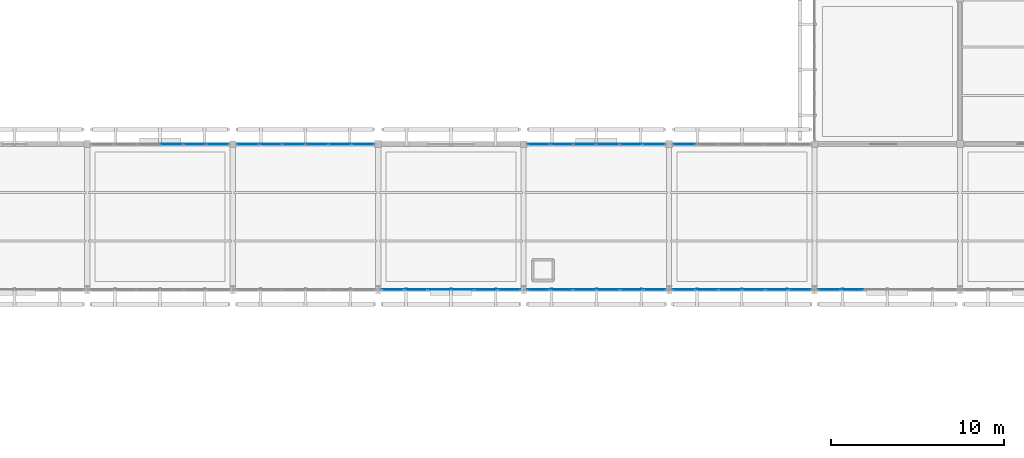
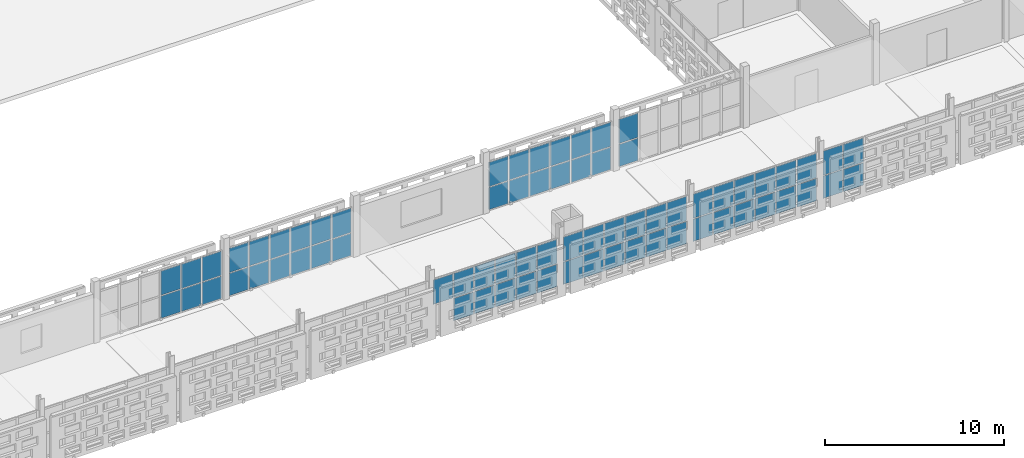
# One storey, part 85 of 166: 71 plates, 8 elements without a shape of their own.
"""IFC4 building model written with IfcOpenShell, lengths in metres."""

import ifcopenshell
import ifcopenshell.guid

model = None  # the IFC model being written
_history = None  # IfcOwnerHistory: only IFC2X3 demands one
_inside = {}  # id of a spatial element -> (the spatial element, [elements in it])
_under = {}  # id of a project, library or spatial element -> (it, [spatial elements below it])
_declared = {}  # id of a project -> (the project, [libraries it declares])
_typed = {}  # id of a type object -> (the type object, [elements of that type])
_made_of = {}  # id of a material, layer set ... -> (it, [elements and type objects made of it])


def new_model(schema):
    """Start an empty IFC model of exactly this schema.

    Asked for "IFC4X3", IfcOpenShell would pick the latest addendum, in which some entities
    have other attributes; the version numbers below select the first issue.
    IFC2X3 requires an IfcOwnerHistory on every rooted entity: one is made here for all.
    """
    global model, _history
    if schema == "IFC4X3":
        model = ifcopenshell.file(schema_version=(4, 3, 0, 0))
    else:
        model = ifcopenshell.file(schema=schema)
    _inside.clear()
    _under.clear()
    _declared.clear()
    _typed.clear()
    _made_of.clear()
    _history = None
    if model.schema == "IFC2X3":
        org = make("IfcOrganization", Name="unknown")
        user = make(
            "IfcPersonAndOrganization",
            ThePerson=make("IfcPerson", FamilyName="unknown"),
            TheOrganization=org,
        )
        app = make(
            "IfcApplication",
            ApplicationDeveloper=org,
            Version="unknown",
            ApplicationFullName="unknown",
            ApplicationIdentifier="unknown",
        )
        _history = make(
            "IfcOwnerHistory",
            OwningUser=user,
            OwningApplication=app,
            ChangeAction="ADDED",
            CreationDate=0,
        )
    return model


def make(cls, **values):
    """One entity of the class cls with the attributes given. An attribute that is None is left unset."""
    return model.create_entity(
        cls, **{name: value for name, value in values.items() if value is not None}
    )


def rooted(cls, **values):
    """An entity with a GlobalId (a new one), such as an element, a storey or a relation."""
    return make(cls, GlobalId=ifcopenshell.guid.new(), OwnerHistory=_history, **values)


def si_unit(unit_type, name, prefix=None):
    """IfcSIUnit, for example si_unit("LENGTHUNIT", "METRE", prefix="MILLI")."""
    return make("IfcSIUnit", UnitType=unit_type, Prefix=prefix, Name=name)


def assignment(units):
    """IfcUnitAssignment: the units of a project."""
    return None if units is None else make("IfcUnitAssignment", Units=units)


def point(xyz):
    """IfcCartesianPoint."""
    return None if xyz is None else make("IfcCartesianPoint", Coordinates=xyz)


def direction(xyz):
    """IfcDirection."""
    return None if xyz is None else make("IfcDirection", DirectionRatios=xyz)


def frame(location, z_axis=None, x_axis=None):
    """IfcAxis2Placement3D, a coordinate frame: its origin and axes. An axis left out is left unset."""
    return make(
        "IfcAxis2Placement3D",
        Location=point(location),
        Axis=direction(z_axis),
        RefDirection=direction(x_axis),
    )


def frame_2d(location, x_axis=None):
    """IfcAxis2Placement2D, a coordinate frame in the plane: its origin and x axis."""
    return make(
        "IfcAxis2Placement2D", Location=point(location), RefDirection=direction(x_axis)
    )


def origin():
    """The frame at (0, 0, 0) with its axes left unset."""
    return frame((0.0, 0.0, 0.0))


def origin_2d():
    """The frame at (0, 0) in the plane with its x axis left unset."""
    return frame_2d((0.0, 0.0))


def place(relative_to, where):
    """IfcLocalPlacement: puts the frame where relative to a parent placement (None: the world)."""
    return make(
        "IfcLocalPlacement", PlacementRelTo=relative_to, RelativePlacement=where
    )


def context(
    kind, dimensions, precision=None, world=None, true_north=None, identifier=None
):
    """IfcGeometricRepresentationContext, for example the 3D "Model" context."""
    return make(
        "IfcGeometricRepresentationContext",
        ContextIdentifier=identifier,
        ContextType=kind,
        CoordinateSpaceDimension=dimensions,
        Precision=precision,
        WorldCoordinateSystem=world,
        TrueNorth=true_north,
    )


def subcontext(parent, identifier, kind, view, scale=None):
    """IfcGeometricRepresentationSubContext, for example "Body" below "Model"."""
    return make(
        "IfcGeometricRepresentationSubContext",
        ContextIdentifier=identifier,
        ContextType=kind,
        ParentContext=parent,
        TargetScale=scale,
        TargetView=view,
    )


def project(units=None, contexts=None):
    """IfcProject with its units and contexts."""
    return rooted(
        "IfcProject",
        Name="project",
        RepresentationContexts=contexts,
        UnitsInContext=assignment(units),
    )


def spatial(cls, under=None, at=None, **own):
    """A site, building, storey or space (cls), placed at a placement, below another one or the project."""
    s = rooted(cls, ObjectPlacement=at, **own)
    if under is not None:
        _under.setdefault(under.id(), (under, []))[1].append(s)
    return s


def profile(cls, at=None, kind="AREA", **sizes):
    """A parametric profile (cls). Its sizes go by their IFC names, for example OverallWidth=200.0."""
    return make(cls, ProfileType=kind, Position=at, **sizes)


def rectangle(**sizes):
    """IfcRectangleProfileDef."""
    return profile("IfcRectangleProfileDef", **sizes)


def extrude(swept, where, along, depth):
    """IfcExtrudedAreaSolid: the profile swept, set in the frame where, extruded along a direction by depth."""
    return make(
        "IfcExtrudedAreaSolid",
        SweptArea=swept,
        Position=where,
        ExtrudedDirection=direction(along),
        Depth=depth,
    )


def shape(context_of_items, identifier, shape_type, items):
    """IfcShapeRepresentation: the items that make up one representation, for example the "Body"."""
    return make(
        "IfcShapeRepresentation",
        ContextOfItems=context_of_items,
        RepresentationIdentifier=identifier,
        RepresentationType=shape_type,
        Items=items,
    )


def material(Name=None, Category=None):
    """IfcMaterial."""
    return make("IfcMaterial", Name=Name, Category=Category)


def layer(
    of_material, thickness, ventilated=None, Name=None, Category=None, Priority=None
):
    """IfcMaterialLayer: one layer of a wall or slab, of a material (None: an air gap)."""
    return make(
        "IfcMaterialLayer",
        Material=of_material,
        LayerThickness=thickness,
        IsVentilated=ventilated,
        Name=Name,
        Category=Category,
        Priority=Priority,
    )


def layer_set(layers, Name=None):
    """IfcMaterialLayerSet."""
    return make("IfcMaterialLayerSet", MaterialLayers=layers, LayerSetName=Name)


def made_of(thing, what):
    """Note that an element or type object is made of a material, layer set ...; save() writes the relation."""
    if what is not None:
        _made_of.setdefault(what.id(), (what, []))[1].append(thing)
    return thing


def type_object(cls, material=None, **own):
    """A type object (cls), such as IfcWallType, which elements share."""
    return made_of(rooted(cls, **own), material)


def element(
    cls,
    number,
    at=None,
    inside=None,
    cuts=None,
    type_object=None,
    material=None,
    context=None,
    identifier="Body",
    shape_type=None,
    held_by="IfcProductDefinitionShape",
    body=None,
    shapes=None,
    **own,
):
    """One element of the class cls, such as IfcWall. Its Tag is "e" and its number.

    at: its placement. inside: the storey or other place that contains it. cuts: it is an
    opening in that element (IfcRelVoidsElement). A single representation is given by context,
    identifier, shape_type and body (its items); several are given by shapes. held_by: the class
    of the entity that holds the representations. save() writes the other relations.
    """
    e = rooted(cls, Tag="e%d" % number, ObjectPlacement=at, **own)
    if body is not None:
        shapes = [shape(context, identifier, shape_type, body)]
    if shapes is not None:
        e.Representation = make(held_by, Representations=shapes)
    if inside is not None:
        _inside.setdefault(inside.id(), (inside, []))[1].append(e)
    if cuts is not None:
        rooted(
            "IfcRelVoidsElement", RelatingBuildingElement=cuts, RelatedOpeningElement=e
        )
    if type_object is not None:
        _typed.setdefault(type_object.id(), (type_object, []))[1].append(e)
    return made_of(e, material)


def aggregate(whole, parts):
    """IfcRelAggregates: a whole, such as a stair, and the parts it consists of."""
    return rooted("IfcRelAggregates", RelatingObject=whole, RelatedObjects=parts)


def save(model, path):
    """Write the relations noted so far, then the file.

    IfcRelAggregates (storeys below a building ...), IfcRelContainedInSpatialStructure (elements
    in a storey), IfcRelDefinesByType, IfcRelAssociatesMaterial and IfcRelDeclares: one each for
    every whole, place, type object, material and project.
    """
    for whole, parts in _under.values():
        aggregate(whole, parts)
    for where, things in _inside.values():
        rooted(
            "IfcRelContainedInSpatialStructure",
            RelatedElements=things,
            RelatingStructure=where,
        )
    for kind, things in _typed.values():
        rooted("IfcRelDefinesByType", RelatedObjects=things, RelatingType=kind)
    for what, things in _made_of.values():
        rooted("IfcRelAssociatesMaterial", RelatedObjects=things, RelatingMaterial=what)
    for by, libraries in _declared.values():
        rooted("IfcRelDeclares", RelatingContext=by, RelatedDefinitions=libraries)
    model.write(path)


model = new_model("IFC4")

# Units and contexts
model_context = context("Model", 3, precision=1e-05, world=origin(), true_north=direction((0.0, 1.0)))
body_context = subcontext(model_context, "Body", "Model", "MODEL_VIEW")
ifc_project = project(units=[si_unit("LENGTHUNIT", "METRE"), si_unit("AREAUNIT", "SQUARE_METRE"), si_unit("VOLUMEUNIT", "CUBIC_METRE"), si_unit("PLANEANGLEUNIT", "RADIAN"), si_unit("MASSUNIT", "GRAM", prefix="KILO")], contexts=[model_context])

# Site, building, storey
site_placement = place(None, origin())
site = spatial("IfcSite", under=ifc_project, at=site_placement, CompositionType="ELEMENT")
building_placement = place(site_placement, origin())
building = spatial("IfcBuilding", under=site, at=building_placement, Name="Varnapada Polytechnic", CompositionType="ELEMENT")
storey_placement = place(building_placement, frame((0.0, 0.0, 9.60009765625)))
storey = spatial("IfcBuildingStorey", under=building, at=storey_placement, Name="L02", CompositionType="ELEMENT", Elevation=9.60009765625)

# Curtain wall, plates
ifc_material = material(Name="Double low-E laminated glass", Category="glass")
ifc_layer_1 = layer(ifc_material, 0.159912109375)
ifc_layer_set_1 = layer_set([ifc_layer_1], Name="Double low-E laminated glass")
curtain_wall_type_1 = type_object("IfcCurtainWallType", Name="Curtain Wall CW-02", PredefinedType="NOTDEFINED", material=ifc_layer_set_1)
curtain_wall_1_placement = place(storey_placement, origin())
curtain_wall_1 = element("IfcCurtainWall", 1, at=curtain_wall_1_placement, inside=storey, type_object=curtain_wall_type_1, Name="L02 unitised curtain wall CW-02 (167)", PredefinedType="NOTDEFINED")
ifc_layer_2 = layer(ifc_material, 0.028076171875)
ifc_layer_set_2 = layer_set([ifc_layer_2], Name="Double low-E laminated glass")
plate_type = type_object("IfcPlateType", Name="Curtain Panel PNL-01", PredefinedType="CURTAIN_PANEL", material=ifc_layer_set_2)
plate_1_placement = place(storey_placement, frame((80.472412109375, 92.39990234375, 0.06005859375), z_axis=(0.0, 0.0, 1.0), x_axis=(1.0, 0.0, 0.0)))
plate_1 = element("IfcPlate", 2, at=plate_1_placement, type_object=plate_type, Name="CW-02 panel 4.1", PredefinedType="CURTAIN_PANEL", context=body_context, shape_type="SweptSolid", body=[
    extrude(rectangle(XDim=1.27490234375, YDim=0.028076171875, at=origin_2d()), origin(), (0.0, 0.0, 1.0), 1.522705078125),
])
plate_2_placement = place(storey_placement, frame((80.472412109375, 92.39990234375, 1.642578125), z_axis=(0.0, 0.0, 1.0), x_axis=(1.0, 0.0, 0.0)))
plate_2 = element("IfcPlate", 3, at=plate_2_placement, type_object=plate_type, Name="CW-02 panel 4.2", PredefinedType="CURTAIN_PANEL", context=body_context, shape_type="SweptSolid", body=[
    extrude(rectangle(XDim=1.27490234375, YDim=0.028076171875, at=origin_2d()), origin(), (0.0, 0.0, 1.0), 1.6572265625),
])
plate_3_placement = place(storey_placement, frame((81.8076171875, 92.39990234375, 0.06005859375), z_axis=(0.0, 0.0, 1.0), x_axis=(1.0, 0.0, 0.0)))
plate_3 = element("IfcPlate", 4, at=plate_3_placement, type_object=plate_type, Name="CW-02 panel 5.1", PredefinedType="CURTAIN_PANEL", context=body_context, shape_type="SweptSolid", body=[
    extrude(rectangle(XDim=1.27490234375, YDim=0.028076171875, at=origin_2d()), origin(), (0.0, 0.0, 1.0), 1.522705078125),
])
plate_4_placement = place(storey_placement, frame((81.8076171875, 92.39990234375, 1.642578125), z_axis=(0.0, 0.0, 1.0), x_axis=(1.0, 0.0, 0.0)))
plate_4 = element("IfcPlate", 5, at=plate_4_placement, type_object=plate_type, Name="CW-02 panel 5.2", PredefinedType="CURTAIN_PANEL", context=body_context, shape_type="SweptSolid", body=[
    extrude(rectangle(XDim=1.27490234375, YDim=0.028076171875, at=origin_2d()), origin(), (0.0, 0.0, 1.0), 1.6572265625),
])
plate_5_placement = place(storey_placement, frame((83.12744140625, 92.39990234375, 0.06005859375), z_axis=(0.0, 0.0, 1.0), x_axis=(1.0, 0.0, 0.0)))
plate_5 = element("IfcPlate", 6, at=plate_5_placement, type_object=plate_type, Name="CW-02 panel 6.1", PredefinedType="CURTAIN_PANEL", context=body_context, shape_type="SweptSolid", body=[
    extrude(rectangle(XDim=1.2451171875, YDim=0.028076171875, at=origin_2d()), origin(), (0.0, 0.0, 1.0), 1.522705078125),
])
plate_6_placement = place(storey_placement, frame((83.12744140625, 92.39990234375, 1.642578125), z_axis=(0.0, 0.0, 1.0), x_axis=(1.0, 0.0, 0.0)))
plate_6 = element("IfcPlate", 7, at=plate_6_placement, type_object=plate_type, Name="CW-02 panel 6.2", PredefinedType="CURTAIN_PANEL", context=body_context, shape_type="SweptSolid", body=[
    extrude(rectangle(XDim=1.2451171875, YDim=0.028076171875, at=origin_2d()), origin(), (0.0, 0.0, 1.0), 1.6572265625),
])
aggregate(curtain_wall_1, [plate_1, plate_2, plate_3, plate_4, plate_5, plate_6])

curtain_wall_2_placement = place(storey_placement, origin())
curtain_wall_2 = element("IfcCurtainWall", 8, at=curtain_wall_2_placement, inside=storey, type_object=curtain_wall_type_1, Name="L02 unitised curtain wall CW-02 (169)", PredefinedType="NOTDEFINED")
plate_7_placement = place(storey_placement, frame((84.87255859375, 92.39990234375, 0.06005859375), z_axis=(0.0, 0.0, 1.0), x_axis=(1.0, 0.0, 0.0)))
plate_7 = element("IfcPlate", 9, at=plate_7_placement, type_object=plate_type, Name="CW-02 panel 1.1", PredefinedType="CURTAIN_PANEL", context=body_context, shape_type="SweptSolid", body=[
    extrude(rectangle(XDim=1.2451171875, YDim=0.028076171875, at=origin_2d()), origin(), (0.0, 0.0, 1.0), 1.522705078125),
])
plate_8_placement = place(storey_placement, frame((84.87255859375, 92.39990234375, 1.642578125), z_axis=(0.0, 0.0, 1.0), x_axis=(1.0, 0.0, 0.0)))
plate_8 = element("IfcPlate", 10, at=plate_8_placement, type_object=plate_type, Name="CW-02 panel 1.2", PredefinedType="CURTAIN_PANEL", context=body_context, shape_type="SweptSolid", body=[
    extrude(rectangle(XDim=1.2451171875, YDim=0.028076171875, at=origin_2d()), origin(), (0.0, 0.0, 1.0), 1.6572265625),
])
plate_9_placement = place(storey_placement, frame((86.1923828125, 92.39990234375, 0.06005859375), z_axis=(0.0, 0.0, 1.0), x_axis=(1.0, 0.0, 0.0)))
plate_9 = element("IfcPlate", 11, at=plate_9_placement, type_object=plate_type, Name="CW-02 panel 2.1", PredefinedType="CURTAIN_PANEL", context=body_context, shape_type="SweptSolid", body=[
    extrude(rectangle(XDim=1.27490234375, YDim=0.028076171875, at=origin_2d()), origin(), (0.0, 0.0, 1.0), 1.522705078125),
])
plate_10_placement = place(storey_placement, frame((86.1923828125, 92.39990234375, 1.642578125), z_axis=(0.0, 0.0, 1.0), x_axis=(1.0, 0.0, 0.0)))
plate_10 = element("IfcPlate", 12, at=plate_10_placement, type_object=plate_type, Name="CW-02 panel 2.2", PredefinedType="CURTAIN_PANEL", context=body_context, shape_type="SweptSolid", body=[
    extrude(rectangle(XDim=1.27490234375, YDim=0.028076171875, at=origin_2d()), origin(), (0.0, 0.0, 1.0), 1.6572265625),
])
plate_11_placement = place(storey_placement, frame((87.527587890625, 92.39990234375, 0.06005859375), z_axis=(0.0, 0.0, 1.0), x_axis=(1.0, 0.0, 0.0)))
plate_11 = element("IfcPlate", 13, at=plate_11_placement, type_object=plate_type, Name="CW-02 panel 3.1", PredefinedType="CURTAIN_PANEL", context=body_context, shape_type="SweptSolid", body=[
    extrude(rectangle(XDim=1.27490234375, YDim=0.028076171875, at=origin_2d()), origin(), (0.0, 0.0, 1.0), 1.522705078125),
])
plate_12_placement = place(storey_placement, frame((87.527587890625, 92.39990234375, 1.642578125), z_axis=(0.0, 0.0, 1.0), x_axis=(1.0, 0.0, 0.0)))
plate_12 = element("IfcPlate", 14, at=plate_12_placement, type_object=plate_type, Name="CW-02 panel 3.2", PredefinedType="CURTAIN_PANEL", context=body_context, shape_type="SweptSolid", body=[
    extrude(rectangle(XDim=1.27490234375, YDim=0.028076171875, at=origin_2d()), origin(), (0.0, 0.0, 1.0), 1.6572265625),
])
plate_13_placement = place(storey_placement, frame((88.862548828125, 92.39990234375, 0.06005859375), z_axis=(0.0, 0.0, 1.0), x_axis=(1.0, 0.0, 0.0)))
plate_13 = element("IfcPlate", 15, at=plate_13_placement, type_object=plate_type, Name="CW-02 panel 4.1", PredefinedType="CURTAIN_PANEL", context=body_context, shape_type="SweptSolid", body=[
    extrude(rectangle(XDim=1.27490234375, YDim=0.028076171875, at=origin_2d()), origin(), (0.0, 0.0, 1.0), 1.522705078125),
])
plate_14_placement = place(storey_placement, frame((88.862548828125, 92.39990234375, 1.642578125), z_axis=(0.0, 0.0, 1.0), x_axis=(1.0, 0.0, 0.0)))
plate_14 = element("IfcPlate", 16, at=plate_14_placement, type_object=plate_type, Name="CW-02 panel 4.2", PredefinedType="CURTAIN_PANEL", context=body_context, shape_type="SweptSolid", body=[
    extrude(rectangle(XDim=1.27490234375, YDim=0.028076171875, at=origin_2d()), origin(), (0.0, 0.0, 1.0), 1.6572265625),
])
plate_15_placement = place(storey_placement, frame((90.197509765625, 92.39990234375, 0.06005859375), z_axis=(0.0, 0.0, 1.0), x_axis=(1.0, 0.0, 0.0)))
plate_15 = element("IfcPlate", 17, at=plate_15_placement, type_object=plate_type, Name="CW-02 panel 5.1", PredefinedType="CURTAIN_PANEL", context=body_context, shape_type="SweptSolid", body=[
    extrude(rectangle(XDim=1.27490234375, YDim=0.028076171875, at=origin_2d()), origin(), (0.0, 0.0, 1.0), 1.522705078125),
])
plate_16_placement = place(storey_placement, frame((90.197509765625, 92.39990234375, 1.642578125), z_axis=(0.0, 0.0, 1.0), x_axis=(1.0, 0.0, 0.0)))
plate_16 = element("IfcPlate", 18, at=plate_16_placement, type_object=plate_type, Name="CW-02 panel 5.2", PredefinedType="CURTAIN_PANEL", context=body_context, shape_type="SweptSolid", body=[
    extrude(rectangle(XDim=1.27490234375, YDim=0.028076171875, at=origin_2d()), origin(), (0.0, 0.0, 1.0), 1.6572265625),
])
plate_17_placement = place(storey_placement, frame((91.517578125, 92.39990234375, 0.06005859375), z_axis=(0.0, 0.0, 1.0), x_axis=(1.0, 0.0, 0.0)))
plate_17 = element("IfcPlate", 19, at=plate_17_placement, type_object=plate_type, Name="CW-02 panel 6.1", PredefinedType="CURTAIN_PANEL", context=body_context, shape_type="SweptSolid", body=[
    extrude(rectangle(XDim=1.2451171875, YDim=0.028076171875, at=origin_2d()), origin(), (0.0, 0.0, 1.0), 1.522705078125),
])
plate_18_placement = place(storey_placement, frame((91.517578125, 92.39990234375, 1.642578125), z_axis=(0.0, 0.0, 1.0), x_axis=(1.0, 0.0, 0.0)))
plate_18 = element("IfcPlate", 20, at=plate_18_placement, type_object=plate_type, Name="CW-02 panel 6.2", PredefinedType="CURTAIN_PANEL", context=body_context, shape_type="SweptSolid", body=[
    extrude(rectangle(XDim=1.2451171875, YDim=0.028076171875, at=origin_2d()), origin(), (0.0, 0.0, 1.0), 1.6572265625),
])
aggregate(curtain_wall_2, [plate_7, plate_8, plate_9, plate_10, plate_11, plate_12, plate_13, plate_14, plate_15, plate_16, plate_17, plate_18])

ifc_layer_3 = layer(ifc_material, 0.159912109375)
ifc_layer_set_3 = layer_set([ifc_layer_3], Name="Double low-E laminated glass")
curtain_wall_type_2 = type_object("IfcCurtainWallType", Name="Curtain Wall CW-01", PredefinedType="NOTDEFINED", material=ifc_layer_set_3)
curtain_wall_3_placement = place(storey_placement, origin())
curtain_wall_3 = element("IfcCurtainWall", 21, at=curtain_wall_3_placement, inside=storey, type_object=curtain_wall_type_2, Name="L02 unitised curtain wall CW-01 (170)", PredefinedType="NOTDEFINED")
plate_19_placement = place(storey_placement, frame((99.9599609375, 84.0, 0.06005859375), z_axis=(0.0, 0.0, 1.0), x_axis=(-1.0, 0.0, 0.0)))
plate_19 = element("IfcPlate", 22, at=plate_19_placement, type_object=plate_type, Name="CW-01 panel 1.1", PredefinedType="CURTAIN_PANEL", context=body_context, shape_type="SweptSolid", body=[
    extrude(rectangle(XDim=1.260009765625, YDim=0.028076171875, at=origin_2d()), origin(), (0.0, 0.0, 1.0), 1.522705078125),
])
plate_20_placement = place(storey_placement, frame((99.9599609375, 84.0, 1.642578125), z_axis=(0.0, 0.0, 1.0), x_axis=(-1.0, 0.0, 0.0)))
plate_20 = element("IfcPlate", 23, at=plate_20_placement, type_object=plate_type, Name="CW-01 panel 1.2", PredefinedType="CURTAIN_PANEL", context=body_context, shape_type="SweptSolid", body=[
    extrude(rectangle(XDim=1.260009765625, YDim=0.028076171875, at=origin_2d()), origin(), (0.0, 0.0, 1.0), 1.6572265625),
])
plate_21_placement = place(storey_placement, frame((98.625, 84.0, 0.06005859375), z_axis=(0.0, 0.0, 1.0), x_axis=(-1.0, 0.0, 0.0)))
plate_21 = element("IfcPlate", 24, at=plate_21_placement, type_object=plate_type, Name="CW-01 panel 2.1", PredefinedType="CURTAIN_PANEL", context=body_context, shape_type="SweptSolid", body=[
    extrude(rectangle(XDim=1.2900390625, YDim=0.028076171875, at=origin_2d()), origin(), (0.0, 0.0, 1.0), 1.522705078125),
])
plate_22_placement = place(storey_placement, frame((98.625, 84.0, 1.642578125), z_axis=(0.0, 0.0, 1.0), x_axis=(-1.0, 0.0, 0.0)))
plate_22 = element("IfcPlate", 25, at=plate_22_placement, type_object=plate_type, Name="CW-01 panel 2.2", PredefinedType="CURTAIN_PANEL", context=body_context, shape_type="SweptSolid", body=[
    extrude(rectangle(XDim=1.2900390625, YDim=0.028076171875, at=origin_2d()), origin(), (0.0, 0.0, 1.0), 1.6572265625),
])
plate_23_placement = place(storey_placement, frame((97.27490234375, 84.0, 0.06005859375), z_axis=(0.0, 0.0, 1.0), x_axis=(-1.0, 0.0, 0.0)))
plate_23 = element("IfcPlate", 26, at=plate_23_placement, type_object=plate_type, Name="CW-01 panel 3.1", PredefinedType="CURTAIN_PANEL", context=body_context, shape_type="SweptSolid", body=[
    extrude(rectangle(XDim=1.2900390625, YDim=0.028076171875, at=origin_2d()), origin(), (0.0, 0.0, 1.0), 1.522705078125),
])
plate_24_placement = place(storey_placement, frame((97.27490234375, 84.0, 1.642578125), z_axis=(0.0, 0.0, 1.0), x_axis=(-1.0, 0.0, 0.0)))
plate_24 = element("IfcPlate", 27, at=plate_24_placement, type_object=plate_type, Name="CW-01 panel 3.2", PredefinedType="CURTAIN_PANEL", context=body_context, shape_type="SweptSolid", body=[
    extrude(rectangle(XDim=1.2900390625, YDim=0.028076171875, at=origin_2d()), origin(), (0.0, 0.0, 1.0), 1.6572265625),
])
plate_25_placement = place(storey_placement, frame((95.925048828125, 84.0, 0.06005859375), z_axis=(0.0, 0.0, 1.0), x_axis=(-1.0, 0.0, 0.0)))
plate_25 = element("IfcPlate", 28, at=plate_25_placement, type_object=plate_type, Name="CW-01 panel 4.1", PredefinedType="CURTAIN_PANEL", context=body_context, shape_type="SweptSolid", body=[
    extrude(rectangle(XDim=1.2900390625, YDim=0.028076171875, at=origin_2d()), origin(), (0.0, 0.0, 1.0), 1.522705078125),
])
plate_26_placement = place(storey_placement, frame((95.925048828125, 84.0, 1.642578125), z_axis=(0.0, 0.0, 1.0), x_axis=(-1.0, 0.0, 0.0)))
plate_26 = element("IfcPlate", 29, at=plate_26_placement, type_object=plate_type, Name="CW-01 panel 4.2", PredefinedType="CURTAIN_PANEL", context=body_context, shape_type="SweptSolid", body=[
    extrude(rectangle(XDim=1.2900390625, YDim=0.028076171875, at=origin_2d()), origin(), (0.0, 0.0, 1.0), 1.6572265625),
])
plate_27_placement = place(storey_placement, frame((94.574951171875, 84.0, 0.06005859375), z_axis=(0.0, 0.0, 1.0), x_axis=(-1.0, 0.0, 0.0)))
plate_27 = element("IfcPlate", 30, at=plate_27_placement, type_object=plate_type, Name="CW-01 panel 5.1", PredefinedType="CURTAIN_PANEL", context=body_context, shape_type="SweptSolid", body=[
    extrude(rectangle(XDim=1.2900390625, YDim=0.028076171875, at=origin_2d()), origin(), (0.0, 0.0, 1.0), 1.522705078125),
])
plate_28_placement = place(storey_placement, frame((94.574951171875, 84.0, 1.642578125), z_axis=(0.0, 0.0, 1.0), x_axis=(-1.0, 0.0, 0.0)))
plate_28 = element("IfcPlate", 31, at=plate_28_placement, type_object=plate_type, Name="CW-01 panel 5.2", PredefinedType="CURTAIN_PANEL", context=body_context, shape_type="SweptSolid", body=[
    extrude(rectangle(XDim=1.2900390625, YDim=0.028076171875, at=origin_2d()), origin(), (0.0, 0.0, 1.0), 1.6572265625),
])
plate_29_placement = place(storey_placement, frame((93.239990234375, 84.0, 1.642578125), z_axis=(0.0, 0.0, 1.0), x_axis=(-1.0, 0.0, 0.0)))
plate_29 = element("IfcPlate", 32, at=plate_29_placement, type_object=plate_type, Name="CW-01 panel 6.2", PredefinedType="CURTAIN_PANEL", context=body_context, shape_type="SweptSolid", body=[
    extrude(rectangle(XDim=1.260009765625, YDim=0.028076171875, at=origin_2d()), origin(), (0.0, 0.0, 1.0), 1.6572265625),
])
aggregate(curtain_wall_3, [plate_19, plate_20, plate_21, plate_22, plate_23, plate_24, plate_25, plate_26, plate_27, plate_28, plate_29])

curtain_wall_4_placement = place(storey_placement, origin())
curtain_wall_4 = element("IfcCurtainWall", 33, at=curtain_wall_4_placement, inside=storey, type_object=curtain_wall_type_2, Name="L02 unitised curtain wall CW-01 (171)", PredefinedType="NOTDEFINED")
plate_30_placement = place(storey_placement, frame((108.360107421875, 84.0, 0.06005859375), z_axis=(0.0, 0.0, 1.0), x_axis=(-1.0, 0.0, 0.0)))
plate_30 = element("IfcPlate", 34, at=plate_30_placement, type_object=plate_type, Name="CW-01 panel 1.1", PredefinedType="CURTAIN_PANEL", context=body_context, shape_type="SweptSolid", body=[
    extrude(rectangle(XDim=1.260009765625, YDim=0.028076171875, at=origin_2d()), origin(), (0.0, 0.0, 1.0), 1.522705078125),
])
plate_31_placement = place(storey_placement, frame((108.360107421875, 84.0, 1.642578125), z_axis=(0.0, 0.0, 1.0), x_axis=(-1.0, 0.0, 0.0)))
plate_31 = element("IfcPlate", 35, at=plate_31_placement, type_object=plate_type, Name="CW-01 panel 1.2", PredefinedType="CURTAIN_PANEL", context=body_context, shape_type="SweptSolid", body=[
    extrude(rectangle(XDim=1.260009765625, YDim=0.028076171875, at=origin_2d()), origin(), (0.0, 0.0, 1.0), 1.6572265625),
])
plate_32_placement = place(storey_placement, frame((107.02490234375, 84.0, 0.06005859375), z_axis=(0.0, 0.0, 1.0), x_axis=(-1.0, 0.0, 0.0)))
plate_32 = element("IfcPlate", 36, at=plate_32_placement, type_object=plate_type, Name="CW-01 panel 2.1", PredefinedType="CURTAIN_PANEL", context=body_context, shape_type="SweptSolid", body=[
    extrude(rectangle(XDim=1.2900390625, YDim=0.028076171875, at=origin_2d()), origin(), (0.0, 0.0, 1.0), 1.522705078125),
])
plate_33_placement = place(storey_placement, frame((107.02490234375, 84.0, 1.642578125), z_axis=(0.0, 0.0, 1.0), x_axis=(-1.0, 0.0, 0.0)))
plate_33 = element("IfcPlate", 37, at=plate_33_placement, type_object=plate_type, Name="CW-01 panel 2.2", PredefinedType="CURTAIN_PANEL", context=body_context, shape_type="SweptSolid", body=[
    extrude(rectangle(XDim=1.2900390625, YDim=0.028076171875, at=origin_2d()), origin(), (0.0, 0.0, 1.0), 1.6572265625),
])
plate_34_placement = place(storey_placement, frame((105.675048828125, 84.0, 0.06005859375), z_axis=(0.0, 0.0, 1.0), x_axis=(-1.0, 0.0, 0.0)))
plate_34 = element("IfcPlate", 38, at=plate_34_placement, type_object=plate_type, Name="CW-01 panel 3.1", PredefinedType="CURTAIN_PANEL", context=body_context, shape_type="SweptSolid", body=[
    extrude(rectangle(XDim=1.2900390625, YDim=0.028076171875, at=origin_2d()), origin(), (0.0, 0.0, 1.0), 1.522705078125),
])
plate_35_placement = place(storey_placement, frame((105.675048828125, 84.0, 1.642578125), z_axis=(0.0, 0.0, 1.0), x_axis=(-1.0, 0.0, 0.0)))
plate_35 = element("IfcPlate", 39, at=plate_35_placement, type_object=plate_type, Name="CW-01 panel 3.2", PredefinedType="CURTAIN_PANEL", context=body_context, shape_type="SweptSolid", body=[
    extrude(rectangle(XDim=1.2900390625, YDim=0.028076171875, at=origin_2d()), origin(), (0.0, 0.0, 1.0), 1.6572265625),
])
plate_36_placement = place(storey_placement, frame((104.324951171875, 84.0, 0.06005859375), z_axis=(0.0, 0.0, 1.0), x_axis=(-1.0, 0.0, 0.0)))
plate_36 = element("IfcPlate", 40, at=plate_36_placement, type_object=plate_type, Name="CW-01 panel 4.1", PredefinedType="CURTAIN_PANEL", context=body_context, shape_type="SweptSolid", body=[
    extrude(rectangle(XDim=1.2900390625, YDim=0.028076171875, at=origin_2d()), origin(), (0.0, 0.0, 1.0), 1.522705078125),
])
plate_37_placement = place(storey_placement, frame((104.324951171875, 84.0, 1.642578125), z_axis=(0.0, 0.0, 1.0), x_axis=(-1.0, 0.0, 0.0)))
plate_37 = element("IfcPlate", 41, at=plate_37_placement, type_object=plate_type, Name="CW-01 panel 4.2", PredefinedType="CURTAIN_PANEL", context=body_context, shape_type="SweptSolid", body=[
    extrude(rectangle(XDim=1.2900390625, YDim=0.028076171875, at=origin_2d()), origin(), (0.0, 0.0, 1.0), 1.6572265625),
])
plate_38_placement = place(storey_placement, frame((102.97509765625, 84.0, 0.06005859375), z_axis=(0.0, 0.0, 1.0), x_axis=(-1.0, 0.0, 0.0)))
plate_38 = element("IfcPlate", 42, at=plate_38_placement, type_object=plate_type, Name="CW-01 panel 5.1", PredefinedType="CURTAIN_PANEL", context=body_context, shape_type="SweptSolid", body=[
    extrude(rectangle(XDim=1.2900390625, YDim=0.028076171875, at=origin_2d()), origin(), (0.0, 0.0, 1.0), 1.522705078125),
])
plate_39_placement = place(storey_placement, frame((102.97509765625, 84.0, 1.642578125), z_axis=(0.0, 0.0, 1.0), x_axis=(-1.0, 0.0, 0.0)))
plate_39 = element("IfcPlate", 43, at=plate_39_placement, type_object=plate_type, Name="CW-01 panel 5.2", PredefinedType="CURTAIN_PANEL", context=body_context, shape_type="SweptSolid", body=[
    extrude(rectangle(XDim=1.2900390625, YDim=0.028076171875, at=origin_2d()), origin(), (0.0, 0.0, 1.0), 1.6572265625),
])
plate_40_placement = place(storey_placement, frame((101.639892578125, 84.0, 0.06005859375), z_axis=(0.0, 0.0, 1.0), x_axis=(-1.0, 0.0, 0.0)))
plate_40 = element("IfcPlate", 44, at=plate_40_placement, type_object=plate_type, Name="CW-01 panel 6.1", PredefinedType="CURTAIN_PANEL", context=body_context, shape_type="SweptSolid", body=[
    extrude(rectangle(XDim=1.260009765625, YDim=0.028076171875, at=origin_2d()), origin(), (0.0, 0.0, 1.0), 1.522705078125),
])
plate_41_placement = place(storey_placement, frame((101.639892578125, 84.0, 1.642578125), z_axis=(0.0, 0.0, 1.0), x_axis=(-1.0, 0.0, 0.0)))
plate_41 = element("IfcPlate", 45, at=plate_41_placement, type_object=plate_type, Name="CW-01 panel 6.2", PredefinedType="CURTAIN_PANEL", context=body_context, shape_type="SweptSolid", body=[
    extrude(rectangle(XDim=1.260009765625, YDim=0.028076171875, at=origin_2d()), origin(), (0.0, 0.0, 1.0), 1.6572265625),
])
aggregate(curtain_wall_4, [plate_30, plate_31, plate_32, plate_33, plate_34, plate_35, plate_36, plate_37, plate_38, plate_39, plate_40, plate_41])

curtain_wall_5_placement = place(storey_placement, origin())
curtain_wall_5 = element("IfcCurtainWall", 46, at=curtain_wall_5_placement, inside=storey, type_object=curtain_wall_type_1, Name="L02 unitised curtain wall CW-02 (172)", PredefinedType="NOTDEFINED")
plate_42_placement = place(storey_placement, frame((101.672607421875, 92.39990234375, 0.06005859375), z_axis=(0.0, 0.0, 1.0), x_axis=(1.0, 0.0, 0.0)))
plate_42 = element("IfcPlate", 47, at=plate_42_placement, type_object=plate_type, Name="CW-02 panel 1.1", PredefinedType="CURTAIN_PANEL", context=body_context, shape_type="SweptSolid", body=[
    extrude(rectangle(XDim=1.2451171875, YDim=0.028076171875, at=origin_2d()), origin(), (0.0, 0.0, 1.0), 1.522705078125),
])
plate_43_placement = place(storey_placement, frame((101.672607421875, 92.39990234375, 1.642578125), z_axis=(0.0, 0.0, 1.0), x_axis=(1.0, 0.0, 0.0)))
plate_43 = element("IfcPlate", 48, at=plate_43_placement, type_object=plate_type, Name="CW-02 panel 1.2", PredefinedType="CURTAIN_PANEL", context=body_context, shape_type="SweptSolid", body=[
    extrude(rectangle(XDim=1.2451171875, YDim=0.028076171875, at=origin_2d()), origin(), (0.0, 0.0, 1.0), 1.6572265625),
])
plate_44_placement = place(storey_placement, frame((102.992431640625, 92.39990234375, 0.06005859375), z_axis=(0.0, 0.0, 1.0), x_axis=(1.0, 0.0, 0.0)))
plate_44 = element("IfcPlate", 49, at=plate_44_placement, type_object=plate_type, Name="CW-02 panel 2.1", PredefinedType="CURTAIN_PANEL", context=body_context, shape_type="SweptSolid", body=[
    extrude(rectangle(XDim=1.27490234375, YDim=0.028076171875, at=origin_2d()), origin(), (0.0, 0.0, 1.0), 1.522705078125),
])
plate_45_placement = place(storey_placement, frame((102.992431640625, 92.39990234375, 1.642578125), z_axis=(0.0, 0.0, 1.0), x_axis=(1.0, 0.0, 0.0)))
plate_45 = element("IfcPlate", 50, at=plate_45_placement, type_object=plate_type, Name="CW-02 panel 2.2", PredefinedType="CURTAIN_PANEL", context=body_context, shape_type="SweptSolid", body=[
    extrude(rectangle(XDim=1.27490234375, YDim=0.028076171875, at=origin_2d()), origin(), (0.0, 0.0, 1.0), 1.6572265625),
])
plate_46_placement = place(storey_placement, frame((104.327392578125, 92.39990234375, 0.06005859375), z_axis=(0.0, 0.0, 1.0), x_axis=(1.0, 0.0, 0.0)))
plate_46 = element("IfcPlate", 51, at=plate_46_placement, type_object=plate_type, Name="CW-02 panel 3.1", PredefinedType="CURTAIN_PANEL", context=body_context, shape_type="SweptSolid", body=[
    extrude(rectangle(XDim=1.27490234375, YDim=0.028076171875, at=origin_2d()), origin(), (0.0, 0.0, 1.0), 1.522705078125),
])
plate_47_placement = place(storey_placement, frame((104.327392578125, 92.39990234375, 1.642578125), z_axis=(0.0, 0.0, 1.0), x_axis=(1.0, 0.0, 0.0)))
plate_47 = element("IfcPlate", 52, at=plate_47_placement, type_object=plate_type, Name="CW-02 panel 3.2", PredefinedType="CURTAIN_PANEL", context=body_context, shape_type="SweptSolid", body=[
    extrude(rectangle(XDim=1.27490234375, YDim=0.028076171875, at=origin_2d()), origin(), (0.0, 0.0, 1.0), 1.6572265625),
])
plate_48_placement = place(storey_placement, frame((105.66259765625, 92.39990234375, 0.06005859375), z_axis=(0.0, 0.0, 1.0), x_axis=(1.0, 0.0, 0.0)))
plate_48 = element("IfcPlate", 53, at=plate_48_placement, type_object=plate_type, Name="CW-02 panel 4.1", PredefinedType="CURTAIN_PANEL", context=body_context, shape_type="SweptSolid", body=[
    extrude(rectangle(XDim=1.27490234375, YDim=0.028076171875, at=origin_2d()), origin(), (0.0, 0.0, 1.0), 1.522705078125),
])
plate_49_placement = place(storey_placement, frame((105.66259765625, 92.39990234375, 1.642578125), z_axis=(0.0, 0.0, 1.0), x_axis=(1.0, 0.0, 0.0)))
plate_49 = element("IfcPlate", 54, at=plate_49_placement, type_object=plate_type, Name="CW-02 panel 4.2", PredefinedType="CURTAIN_PANEL", context=body_context, shape_type="SweptSolid", body=[
    extrude(rectangle(XDim=1.27490234375, YDim=0.028076171875, at=origin_2d()), origin(), (0.0, 0.0, 1.0), 1.6572265625),
])
plate_50_placement = place(storey_placement, frame((106.99755859375, 92.39990234375, 0.06005859375), z_axis=(0.0, 0.0, 1.0), x_axis=(1.0, 0.0, 0.0)))
plate_50 = element("IfcPlate", 55, at=plate_50_placement, type_object=plate_type, Name="CW-02 panel 5.1", PredefinedType="CURTAIN_PANEL", context=body_context, shape_type="SweptSolid", body=[
    extrude(rectangle(XDim=1.27490234375, YDim=0.028076171875, at=origin_2d()), origin(), (0.0, 0.0, 1.0), 1.522705078125),
])
plate_51_placement = place(storey_placement, frame((106.99755859375, 92.39990234375, 1.642578125), z_axis=(0.0, 0.0, 1.0), x_axis=(1.0, 0.0, 0.0)))
plate_51 = element("IfcPlate", 56, at=plate_51_placement, type_object=plate_type, Name="CW-02 panel 5.2", PredefinedType="CURTAIN_PANEL", context=body_context, shape_type="SweptSolid", body=[
    extrude(rectangle(XDim=1.27490234375, YDim=0.028076171875, at=origin_2d()), origin(), (0.0, 0.0, 1.0), 1.6572265625),
])
plate_52_placement = place(storey_placement, frame((108.3173828125, 92.39990234375, 0.06005859375), z_axis=(0.0, 0.0, 1.0), x_axis=(1.0, 0.0, 0.0)))
plate_52 = element("IfcPlate", 57, at=plate_52_placement, type_object=plate_type, Name="CW-02 panel 6.1", PredefinedType="CURTAIN_PANEL", context=body_context, shape_type="SweptSolid", body=[
    extrude(rectangle(XDim=1.2451171875, YDim=0.028076171875, at=origin_2d()), origin(), (0.0, 0.0, 1.0), 1.522705078125),
])
plate_53_placement = place(storey_placement, frame((108.3173828125, 92.39990234375, 1.642578125), z_axis=(0.0, 0.0, 1.0), x_axis=(1.0, 0.0, 0.0)))
plate_53 = element("IfcPlate", 58, at=plate_53_placement, type_object=plate_type, Name="CW-02 panel 6.2", PredefinedType="CURTAIN_PANEL", context=body_context, shape_type="SweptSolid", body=[
    extrude(rectangle(XDim=1.2451171875, YDim=0.028076171875, at=origin_2d()), origin(), (0.0, 0.0, 1.0), 1.6572265625),
])
aggregate(curtain_wall_5, [plate_42, plate_43, plate_44, plate_45, plate_46, plate_47, plate_48, plate_49, plate_50, plate_51, plate_52, plate_53])

curtain_wall_6_placement = place(storey_placement, origin())
curtain_wall_6 = element("IfcCurtainWall", 59, at=curtain_wall_6_placement, inside=storey, type_object=curtain_wall_type_2, Name="L02 unitised curtain wall CW-01 (173)", PredefinedType="NOTDEFINED")
plate_54_placement = place(storey_placement, frame((116.760009765625, 84.0, 0.06005859375), z_axis=(0.0, 0.0, 1.0), x_axis=(-1.0, 0.0, 0.0)))
plate_54 = element("IfcPlate", 60, at=plate_54_placement, type_object=plate_type, Name="CW-01 panel 1.1", PredefinedType="CURTAIN_PANEL", context=body_context, shape_type="SweptSolid", body=[
    extrude(rectangle(XDim=1.260009765625, YDim=0.028076171875, at=origin_2d()), origin(), (0.0, 0.0, 1.0), 1.522705078125),
])
plate_55_placement = place(storey_placement, frame((116.760009765625, 84.0, 1.642578125), z_axis=(0.0, 0.0, 1.0), x_axis=(-1.0, 0.0, 0.0)))
plate_55 = element("IfcPlate", 61, at=plate_55_placement, type_object=plate_type, Name="CW-01 panel 1.2", PredefinedType="CURTAIN_PANEL", context=body_context, shape_type="SweptSolid", body=[
    extrude(rectangle(XDim=1.260009765625, YDim=0.028076171875, at=origin_2d()), origin(), (0.0, 0.0, 1.0), 1.6572265625),
])
plate_56_placement = place(storey_placement, frame((115.425048828125, 84.0, 0.06005859375), z_axis=(0.0, 0.0, 1.0), x_axis=(-1.0, 0.0, 0.0)))
plate_56 = element("IfcPlate", 62, at=plate_56_placement, type_object=plate_type, Name="CW-01 panel 2.1", PredefinedType="CURTAIN_PANEL", context=body_context, shape_type="SweptSolid", body=[
    extrude(rectangle(XDim=1.2900390625, YDim=0.028076171875, at=origin_2d()), origin(), (0.0, 0.0, 1.0), 1.522705078125),
])
plate_57_placement = place(storey_placement, frame((115.425048828125, 84.0, 1.642578125), z_axis=(0.0, 0.0, 1.0), x_axis=(-1.0, 0.0, 0.0)))
plate_57 = element("IfcPlate", 63, at=plate_57_placement, type_object=plate_type, Name="CW-01 panel 2.2", PredefinedType="CURTAIN_PANEL", context=body_context, shape_type="SweptSolid", body=[
    extrude(rectangle(XDim=1.2900390625, YDim=0.028076171875, at=origin_2d()), origin(), (0.0, 0.0, 1.0), 1.6572265625),
])
plate_58_placement = place(storey_placement, frame((114.074951171875, 84.0, 0.06005859375), z_axis=(0.0, 0.0, 1.0), x_axis=(-1.0, 0.0, 0.0)))
plate_58 = element("IfcPlate", 64, at=plate_58_placement, type_object=plate_type, Name="CW-01 panel 3.1", PredefinedType="CURTAIN_PANEL", context=body_context, shape_type="SweptSolid", body=[
    extrude(rectangle(XDim=1.2900390625, YDim=0.028076171875, at=origin_2d()), origin(), (0.0, 0.0, 1.0), 1.522705078125),
])
plate_59_placement = place(storey_placement, frame((114.074951171875, 84.0, 1.642578125), z_axis=(0.0, 0.0, 1.0), x_axis=(-1.0, 0.0, 0.0)))
plate_59 = element("IfcPlate", 65, at=plate_59_placement, type_object=plate_type, Name="CW-01 panel 3.2", PredefinedType="CURTAIN_PANEL", context=body_context, shape_type="SweptSolid", body=[
    extrude(rectangle(XDim=1.2900390625, YDim=0.028076171875, at=origin_2d()), origin(), (0.0, 0.0, 1.0), 1.6572265625),
])
plate_60_placement = place(storey_placement, frame((112.72509765625, 84.0, 0.06005859375), z_axis=(0.0, 0.0, 1.0), x_axis=(-1.0, 0.0, 0.0)))
plate_60 = element("IfcPlate", 66, at=plate_60_placement, type_object=plate_type, Name="CW-01 panel 4.1", PredefinedType="CURTAIN_PANEL", context=body_context, shape_type="SweptSolid", body=[
    extrude(rectangle(XDim=1.2900390625, YDim=0.028076171875, at=origin_2d()), origin(), (0.0, 0.0, 1.0), 1.522705078125),
])
plate_61_placement = place(storey_placement, frame((112.72509765625, 84.0, 1.642578125), z_axis=(0.0, 0.0, 1.0), x_axis=(-1.0, 0.0, 0.0)))
plate_61 = element("IfcPlate", 67, at=plate_61_placement, type_object=plate_type, Name="CW-01 panel 4.2", PredefinedType="CURTAIN_PANEL", context=body_context, shape_type="SweptSolid", body=[
    extrude(rectangle(XDim=1.2900390625, YDim=0.028076171875, at=origin_2d()), origin(), (0.0, 0.0, 1.0), 1.6572265625),
])
plate_62_placement = place(storey_placement, frame((111.375, 84.0, 0.06005859375), z_axis=(0.0, 0.0, 1.0), x_axis=(-1.0, 0.0, 0.0)))
plate_62 = element("IfcPlate", 68, at=plate_62_placement, type_object=plate_type, Name="CW-01 panel 5.1", PredefinedType="CURTAIN_PANEL", context=body_context, shape_type="SweptSolid", body=[
    extrude(rectangle(XDim=1.2900390625, YDim=0.028076171875, at=origin_2d()), origin(), (0.0, 0.0, 1.0), 1.522705078125),
])
plate_63_placement = place(storey_placement, frame((111.375, 84.0, 1.642578125), z_axis=(0.0, 0.0, 1.0), x_axis=(-1.0, 0.0, 0.0)))
plate_63 = element("IfcPlate", 69, at=plate_63_placement, type_object=plate_type, Name="CW-01 panel 5.2", PredefinedType="CURTAIN_PANEL", context=body_context, shape_type="SweptSolid", body=[
    extrude(rectangle(XDim=1.2900390625, YDim=0.028076171875, at=origin_2d()), origin(), (0.0, 0.0, 1.0), 1.6572265625),
])
plate_64_placement = place(storey_placement, frame((110.0400390625, 84.0, 0.06005859375), z_axis=(0.0, 0.0, 1.0), x_axis=(-1.0, 0.0, 0.0)))
plate_64 = element("IfcPlate", 70, at=plate_64_placement, type_object=plate_type, Name="CW-01 panel 6.1", PredefinedType="CURTAIN_PANEL", context=body_context, shape_type="SweptSolid", body=[
    extrude(rectangle(XDim=1.260009765625, YDim=0.028076171875, at=origin_2d()), origin(), (0.0, 0.0, 1.0), 1.522705078125),
])
plate_65_placement = place(storey_placement, frame((110.0400390625, 84.0, 1.642578125), z_axis=(0.0, 0.0, 1.0), x_axis=(-1.0, 0.0, 0.0)))
plate_65 = element("IfcPlate", 71, at=plate_65_placement, type_object=plate_type, Name="CW-01 panel 6.2", PredefinedType="CURTAIN_PANEL", context=body_context, shape_type="SweptSolid", body=[
    extrude(rectangle(XDim=1.260009765625, YDim=0.028076171875, at=origin_2d()), origin(), (0.0, 0.0, 1.0), 1.6572265625),
])
aggregate(curtain_wall_6, [plate_54, plate_55, plate_56, plate_57, plate_58, plate_59, plate_60, plate_61, plate_62, plate_63, plate_64, plate_65])

curtain_wall_7_placement = place(storey_placement, origin())
curtain_wall_7 = element("IfcCurtainWall", 72, at=curtain_wall_7_placement, inside=storey, type_object=curtain_wall_type_1, Name="L02 unitised curtain wall CW-02 (174)", PredefinedType="NOTDEFINED")
plate_66_placement = place(storey_placement, frame((110.08251953125, 92.39990234375, 0.06005859375), z_axis=(0.0, 0.0, 1.0), x_axis=(1.0, 0.0, 0.0)))
plate_66 = element("IfcPlate", 73, at=plate_66_placement, type_object=plate_type, Name="CW-02 panel 1.1", PredefinedType="CURTAIN_PANEL", context=body_context, shape_type="SweptSolid", body=[
    extrude(rectangle(XDim=1.2451171875, YDim=0.028076171875, at=origin_2d()), origin(), (0.0, 0.0, 1.0), 1.522705078125),
])
plate_67_placement = place(storey_placement, frame((110.08251953125, 92.39990234375, 1.642578125), z_axis=(0.0, 0.0, 1.0), x_axis=(1.0, 0.0, 0.0)))
plate_67 = element("IfcPlate", 74, at=plate_67_placement, type_object=plate_type, Name="CW-02 panel 1.2", PredefinedType="CURTAIN_PANEL", context=body_context, shape_type="SweptSolid", body=[
    extrude(rectangle(XDim=1.2451171875, YDim=0.028076171875, at=origin_2d()), origin(), (0.0, 0.0, 1.0), 1.6572265625),
])
aggregate(curtain_wall_7, [plate_66, plate_67])

curtain_wall_8_placement = place(storey_placement, origin())
curtain_wall_8 = element("IfcCurtainWall", 75, at=curtain_wall_8_placement, inside=storey, type_object=curtain_wall_type_2, Name="L02 unitised curtain wall CW-01 (175)", PredefinedType="NOTDEFINED")
plate_68_placement = place(storey_placement, frame((119.77490234375, 84.0, 0.06005859375), z_axis=(0.0, 0.0, 1.0), x_axis=(-1.0, 0.0, 0.0)))
plate_68 = element("IfcPlate", 76, at=plate_68_placement, type_object=plate_type, Name="CW-01 panel 5.1", PredefinedType="CURTAIN_PANEL", context=body_context, shape_type="SweptSolid", body=[
    extrude(rectangle(XDim=1.2900390625, YDim=0.028076171875, at=origin_2d()), origin(), (0.0, 0.0, 1.0), 1.522705078125),
])
plate_69_placement = place(storey_placement, frame((119.77490234375, 84.0, 1.642578125), z_axis=(0.0, 0.0, 1.0), x_axis=(-1.0, 0.0, 0.0)))
plate_69 = element("IfcPlate", 77, at=plate_69_placement, type_object=plate_type, Name="CW-01 panel 5.2", PredefinedType="CURTAIN_PANEL", context=body_context, shape_type="SweptSolid", body=[
    extrude(rectangle(XDim=1.2900390625, YDim=0.028076171875, at=origin_2d()), origin(), (0.0, 0.0, 1.0), 1.6572265625),
])
plate_70_placement = place(storey_placement, frame((118.43994140625, 84.0, 0.06005859375), z_axis=(0.0, 0.0, 1.0), x_axis=(-1.0, 0.0, 0.0)))
plate_70 = element("IfcPlate", 78, at=plate_70_placement, type_object=plate_type, Name="CW-01 panel 6.1", PredefinedType="CURTAIN_PANEL", context=body_context, shape_type="SweptSolid", body=[
    extrude(rectangle(XDim=1.260009765625, YDim=0.028076171875, at=origin_2d()), origin(), (0.0, 0.0, 1.0), 1.522705078125),
])
plate_71_placement = place(storey_placement, frame((118.43994140625, 84.0, 1.642578125), z_axis=(0.0, 0.0, 1.0), x_axis=(-1.0, 0.0, 0.0)))
plate_71 = element("IfcPlate", 79, at=plate_71_placement, type_object=plate_type, Name="CW-01 panel 6.2", PredefinedType="CURTAIN_PANEL", context=body_context, shape_type="SweptSolid", body=[
    extrude(rectangle(XDim=1.260009765625, YDim=0.028076171875, at=origin_2d()), origin(), (0.0, 0.0, 1.0), 1.6572265625),
])
aggregate(curtain_wall_8, [plate_68, plate_69, plate_70, plate_71])

save(model, "model.ifc")
